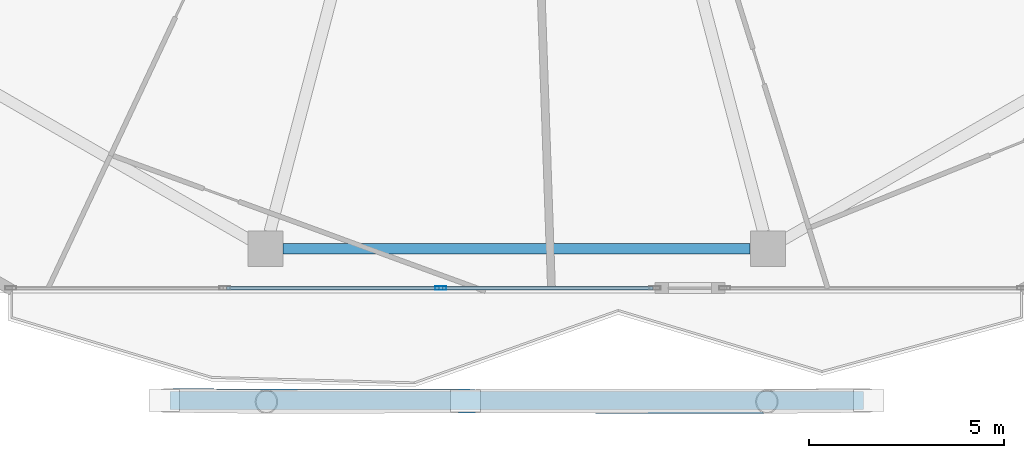
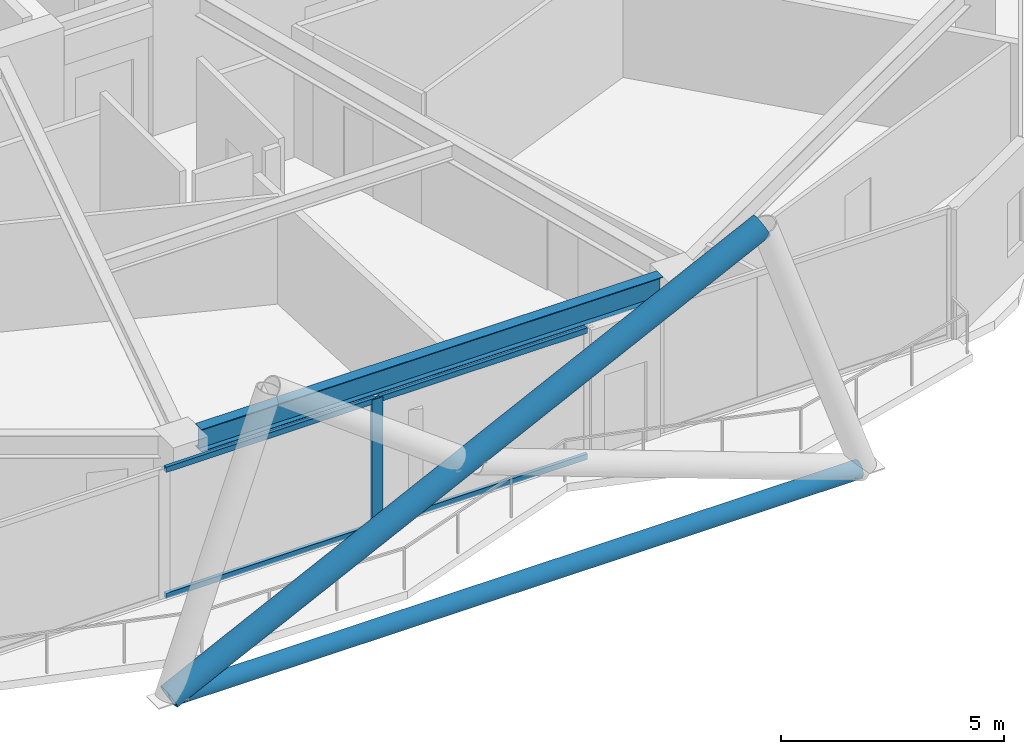
# One storey, part 4 of 26: 7 members, 1 beam, 1 element without a shape of its own.
"""IFC4 building model written with IfcOpenShell, lengths in metres."""

from ifc_helpers import new_model, si_unit, direction, frame, origin, origin_2d, place, context, subcontext, project, spatial, hollow_rectangle, hollow_circle, i_section, extrude, material, material_profile, profile_set, type_object, element, aggregate, save


model = new_model("IFC4")

# Units and contexts
model_context = context("Model", 3, precision=1e-05, world=origin(), true_north=direction((0.0, 1.0)))
body_context = subcontext(model_context, "Body", "Model", "MODEL_VIEW")
ifc_project = project(units=[si_unit("LENGTHUNIT", "METRE"), si_unit("AREAUNIT", "SQUARE_METRE"), si_unit("VOLUMEUNIT", "CUBIC_METRE"), si_unit("PLANEANGLEUNIT", "RADIAN"), si_unit("MASSUNIT", "GRAM", prefix="KILO")], contexts=[model_context])

# Site, building, storey
site_placement = place(None, origin())
site = spatial("IfcSite", under=ifc_project, at=site_placement, CompositionType="ELEMENT")
building_placement = place(site_placement, origin())
building = spatial("IfcBuilding", under=site, at=building_placement, Name="Zuhravey Tower", CompositionType="ELEMENT")
storey_placement = place(building_placement, frame((0.0, 0.0, 231.199951171875)))
storey = spatial("IfcBuildingStorey", under=building, at=storey_placement, Name="L58", CompositionType="ELEMENT", Elevation=231.199951171875)

# Curtain wall, members
ifc_material_1 = material(Name="Thermally broken anodised aluminium", Category="aluminium")
curtain_wall_type = type_object("IfcCurtainWallType", Name="Zone 3-4 High-Rise Curtain Wall CW4", PredefinedType="NOTDEFINED", material=ifc_material_1)
curtain_wall_placement = place(storey_placement, origin())
curtain_wall = element("IfcCurtainWall", 1, at=curtain_wall_placement, inside=storey, type_object=curtain_wall_type, Name="L58 CW4 CW-L58-F5-2", PredefinedType="NOTDEFINED")
ifc_material_2 = material(Name="Anodised aluminium", Category="aluminium")
ifc_material_profile_1 = material_profile(ifc_material_2, hollow_rectangle(XDim=0.090087890625, YDim=0.284912109375, WallThickness=0.0048828125, at=origin_2d()), Name="ALU-RHS-90x285x5")
ifc_profile_set_1 = profile_set([ifc_material_profile_1], Name="Anodised aluminium")
member_type_1 = type_object("IfcMemberType", Name="Curtain-Wall Mullion 90x180", PredefinedType="MULLION", material=ifc_profile_set_1)
member_1_placement = place(storey_placement, frame((34.05615234375, 6.436279296875, 0.0), z_axis=(0.0, 0.0, 1.0), x_axis=(0.0, -1.0, 0.0)))
member_1 = element("IfcMember", 2, at=member_1_placement, type_object=member_type_1, Name="CW4 mullion 2", PredefinedType="MULLION", context=body_context, shape_type="SweptSolid", body=[
    extrude(hollow_rectangle(XDim=0.090087890625, YDim=0.284912109375, WallThickness=0.0048828125, at=origin_2d()), origin(), (0.0, 0.0, 1.0), 3.550048828125),
])
ifc_material_profile_2 = material_profile(ifc_material_2, hollow_rectangle(XDim=0.090087890625, YDim=0.14990234375, WallThickness=0.0048828125, at=origin_2d()), Name="ALU-RHS-90x150x5")
ifc_profile_set_2 = profile_set([ifc_material_profile_2], Name="Anodised aluminium")
member_type_2 = type_object("IfcMemberType", Name="Curtain-Wall Transom 90x150", PredefinedType="USERDEFINED", material=ifc_profile_set_2)
member_2_placement = place(storey_placement, frame((39.500732421875, 6.436279296875, 0.045166015625), z_axis=(-1.0, 0.0, 0.0), x_axis=(0.0, -1.0, 0.0)))
member_2 = element("IfcMember", 3, at=member_2_placement, type_object=member_type_2, Name="CW4 transom 1.1", ObjectType="TRANSOM", PredefinedType="USERDEFINED", context=body_context, shape_type="SweptSolid", body=[
    extrude(hollow_rectangle(XDim=0.090087890625, YDim=0.14990234375, WallThickness=0.0048828125, at=origin_2d()), origin(), (0.0, 0.0, 1.0), 5.3994140625),
])
member_3_placement = place(storey_placement, frame((39.500732421875, 6.436279296875, 3.505126953125), z_axis=(-1.0, 0.0, 0.0), x_axis=(0.0, -1.0, 0.0)))
member_3 = element("IfcMember", 4, at=member_3_placement, type_object=member_type_2, Name="CW4 transom 1.2", ObjectType="TRANSOM", PredefinedType="USERDEFINED", context=body_context, shape_type="SweptSolid", body=[
    extrude(hollow_rectangle(XDim=0.090087890625, YDim=0.14990234375, WallThickness=0.0048828125, at=origin_2d()), origin(), (0.0, 0.0, 1.0), 5.3994140625),
])
member_4_placement = place(storey_placement, frame((34.01123046875, 6.436279296875, 0.045166015625), z_axis=(-1.0, 0.0, 0.0), x_axis=(0.0, -1.0, 0.0)))
member_4 = element("IfcMember", 5, at=member_4_placement, type_object=member_type_2, Name="CW4 transom 2.1", ObjectType="TRANSOM", PredefinedType="USERDEFINED", context=body_context, shape_type="SweptSolid", body=[
    extrude(hollow_rectangle(XDim=0.090087890625, YDim=0.14990234375, WallThickness=0.0048828125, at=origin_2d()), origin(), (0.0, 0.0, 1.0), 5.444580078125),
])
member_5_placement = place(storey_placement, frame((34.01123046875, 6.436279296875, 3.505126953125), z_axis=(-1.0, 0.0, 0.0), x_axis=(0.0, -1.0, 0.0)))
member_5 = element("IfcMember", 6, at=member_5_placement, type_object=member_type_2, Name="CW4 transom 2.2", ObjectType="TRANSOM", PredefinedType="USERDEFINED", context=body_context, shape_type="SweptSolid", body=[
    extrude(hollow_rectangle(XDim=0.090087890625, YDim=0.14990234375, WallThickness=0.0048828125, at=origin_2d()), origin(), (0.0, 0.0, 1.0), 5.444580078125),
])
aggregate(curtain_wall, [member_1, member_2, member_3, member_4, member_5])

# Members
ifc_material_3 = material(Name="Steel SM355", Category="steel")
ifc_material_profile_3 = material_profile(ifc_material_3, hollow_circle(Radius=0.228515625, WallThickness=0.02197265625, at=origin_2d()), Name="CHS-457.2x22")
ifc_profile_set_3 = profile_set([ifc_material_profile_3], Name="Steel SM355")
member_type_3 = type_object("IfcMemberType", Name="Exoskeleton Ring Tie CHS457x22", PredefinedType="CHORD", material=ifc_profile_set_3)
member_6_placement = place(storey_placement, frame((27.111083984375, 3.556396484375, -0.4638671875), z_axis=(1.0, 0.0, 0.0), x_axis=(0.0, 1.0, 0.0)))
element("IfcMember", 7, at=member_6_placement, inside=storey, type_object=member_type_3, Name="L58 Exoskeleton Face 5 Tie EXR1", PredefinedType="CHORD", context=body_context, shape_type="SweptSolid", body=[
    extrude(hollow_circle(Radius=0.228515625, WallThickness=0.02197265625, at=origin_2d()), origin(), (0.0, 0.0, 1.0), 17.77783203125),
])
ifc_material_profile_4 = material_profile(ifc_material_3, hollow_circle(Radius=0.3046875, WallThickness=0.028076171875, at=origin_2d()), Name="CHS-609.6x28")
ifc_profile_set_4 = profile_set([ifc_material_profile_4], Name="Steel SM355")
member_type_4 = type_object("IfcMemberType", Name="Exoskeleton Zone 3 Diagrid CHS610x28", PredefinedType="BRACE", material=ifc_profile_set_4)
member_7_placement = place(storey_placement, frame((27.007568359375, 3.556396484375, -0.446044921875), z_axis=(0.897154781516, -0.001753564146, 0.441712828675), x_axis=(0.001954580004, 0.999998089807, 0.0)))
element("IfcMember", 8, at=member_7_placement, inside=storey, type_object=member_type_4, Name="L58 Face 5 Diagrid Brace 2", PredefinedType="BRACE", context=body_context, shape_type="SweptSolid", body=[
    extrude(hollow_circle(Radius=0.3046875, WallThickness=0.028076171875, at=origin_2d()), origin(), (0.0, 0.0, 1.0), 17.124755859375),
])

# Beam
ifc_material_profile_5 = material_profile(ifc_material_3, i_section(OverallWidth=0.280029296875, OverallDepth=0.6201171875, WebThickness=0.011962890625, FlangeThickness=0.02001953125, at=origin_2d()), Name="H-620x280x12x20")
ifc_profile_set_5 = profile_set([ifc_material_profile_5], Name="Steel SM355")
beam_type = type_object("IfcBeamType", Name="Perimeter Ring Beam H620x280", PredefinedType="BEAM", material=ifc_profile_set_5)
beam_placement = place(storey_placement, frame((30.01220703125, 7.4462890625, 3.239990234375), z_axis=(1.0, 0.0, 0.0), x_axis=(0.0, 1.0, 0.0)))
element("IfcBeam", 9, at=beam_placement, inside=storey, type_object=beam_type, Name="L58 PB3 BM-L58-PB-09", PredefinedType="BEAM", context=body_context, shape_type="SweptSolid", body=[
    extrude(i_section(OverallWidth=0.280029296875, OverallDepth=0.6201171875, WebThickness=0.011962890625, FlangeThickness=0.02001953125, at=origin_2d()), origin(), (0.0, 0.0, 1.0), 11.9755859375),
])

save(model, "model.ifc")
